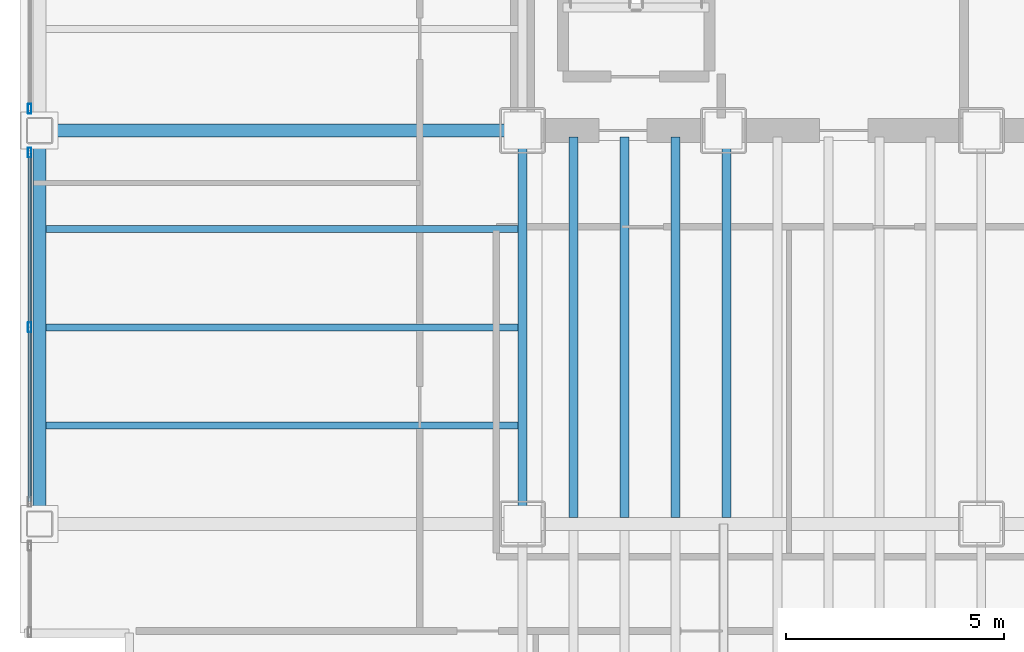
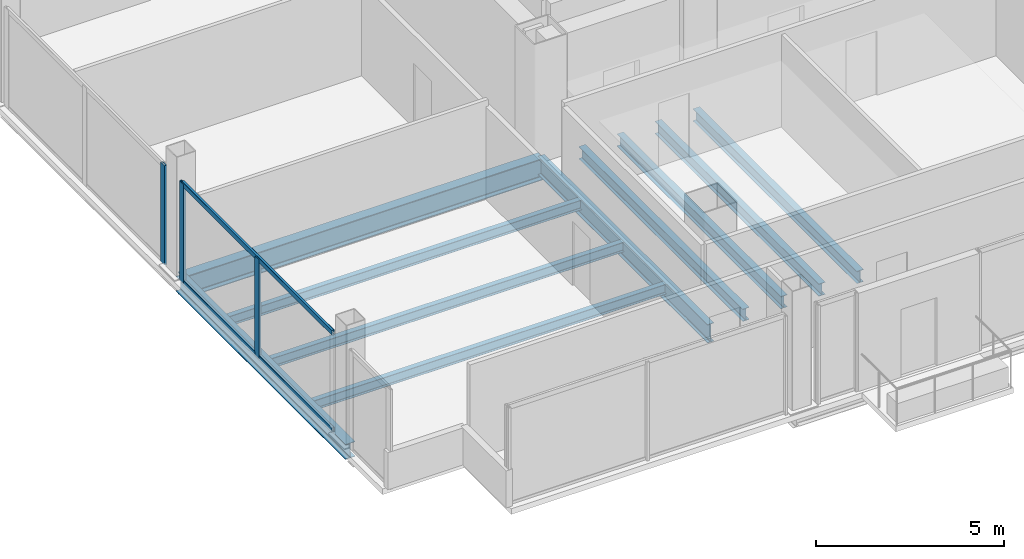
# One storey, part 3 of 21: 10 beams, 5 members, 2 elements without a shape of their own.
"""IFC4 building model written with IfcOpenShell, lengths in metres."""

from ifc_helpers import new_model, si_unit, direction, frame, origin, origin_2d, place, context, subcontext, project, spatial, hollow_rectangle, i_section, extrude, material, material_profile, profile_set, type_object, element, aggregate, save


model = new_model("IFC4")

# Units and contexts
model_context = context("Model", 3, precision=1e-05, world=origin(), true_north=direction((0.0, 1.0)))
body_context = subcontext(model_context, "Body", "Model", "MODEL_VIEW")
ifc_project = project(units=[si_unit("LENGTHUNIT", "METRE"), si_unit("AREAUNIT", "SQUARE_METRE"), si_unit("VOLUMEUNIT", "CUBIC_METRE"), si_unit("PLANEANGLEUNIT", "RADIAN"), si_unit("MASSUNIT", "GRAM", prefix="KILO")], contexts=[model_context])

# Site, building, storey
site_placement = place(None, origin())
site = spatial("IfcSite", under=ifc_project, at=site_placement, CompositionType="ELEMENT")
building_placement = place(site_placement, origin())
building = spatial("IfcBuilding", under=site, at=building_placement, Name="Noeulbin Bourse Tower", CompositionType="ELEMENT")
storey_placement = place(building_placement, frame((0.0, 0.0, 34.300048828125)))
storey = spatial("IfcBuildingStorey", under=building, at=storey_placement, Name="L08", CompositionType="ELEMENT", Elevation=34.300048828125)

# Beams
ifc_material_1 = material(Name="Steel S355", Category="steel")
ifc_material_profile_1 = material_profile(ifc_material_1, i_section(OverallWidth=0.199951171875, OverallDepth=0.60009765625, WebThickness=0.010986328125, FlangeThickness=0.01708984375, FilletRadius=0.02197265625, at=origin_2d()), Name="H-600x200x11x17", Category="LoadBearing")
ifc_profile_set_1 = profile_set([ifc_material_profile_1], Name="Steel S355")
beam_type_1 = type_object("IfcBeamType", Name="BM-GRD-600", PredefinedType="USERDEFINED", material=ifc_profile_set_1)
beam_1_placement = place(storey_placement, frame((13.5, 20.0, -0.47998046875), z_axis=(0.0, 1.0, 0.0), x_axis=(-1.0, 0.0, 0.0)))
element("IfcBeam", 1, at=beam_1_placement, inside=storey, type_object=beam_type_1, Name="Tower Primary Girder NS L08-1.2", ObjectType="GIRDER", PredefinedType="USERDEFINED", context=body_context, shape_type="SweptSolid", body=[
    extrude(i_section(OverallWidth=0.199951171875, OverallDepth=0.60009765625, WebThickness=0.010986328125, FlangeThickness=0.01708984375, FilletRadius=0.02197265625, at=origin_2d()), origin(), (0.0, 0.0, 1.0), 9.0),
])
ifc_material_profile_2 = material_profile(ifc_material_1, i_section(OverallWidth=0.300048828125, OverallDepth=0.699951171875, WebThickness=0.012939453125, FlangeThickness=0.02392578125, FilletRadius=0.02392578125, at=origin_2d()), Name="H-700x300x13x24", Category="LoadBearing")
ifc_profile_set_2 = profile_set([ifc_material_profile_2], Name="Steel S355")
beam_type_2 = type_object("IfcBeamType", Name="BM-GRD-700", PredefinedType="USERDEFINED", material=ifc_profile_set_2)
beam_2_placement = place(storey_placement, frame((2.449951171875, 29.0, -0.530029296875), z_axis=(1.0, 0.0, 0.0), x_axis=(0.0, 1.0, 0.0)))
element("IfcBeam", 2, at=beam_2_placement, inside=storey, type_object=beam_type_2, Name="Tower Primary Girder EW L08-2.1", ObjectType="GIRDER", PredefinedType="USERDEFINED", context=body_context, shape_type="SweptSolid", body=[
    extrude(i_section(OverallWidth=0.300048828125, OverallDepth=0.699951171875, WebThickness=0.012939453125, FlangeThickness=0.02392578125, FilletRadius=0.02392578125, at=origin_2d()), origin(), (0.0, 0.0, 1.0), 11.050048828125),
])
ifc_material_profile_3 = material_profile(ifc_material_1, i_section(OverallWidth=0.159912109375, OverallDepth=0.320068359375, WebThickness=0.006591796875, FlangeThickness=0.010009765625, FilletRadius=0.012939453125, at=origin_2d()), Name="H-320x160x6.5x10", Category="LoadBearing")
ifc_profile_set_3 = profile_set([ifc_material_profile_3], Name="Steel S355")
beam_type_3 = type_object("IfcBeamType", Name="BM-JST-320", PredefinedType="JOIST", material=ifc_profile_set_3)
for number, where, z_axis, x_axis, name in (
    (3, (2.60009765625, 22.25, -0.340087890625), (1.0, 0.0, 0.0), (0.0, 1.0, 0.0), "Wing Composite Joist L08-W69"),
    (4, (2.60009765625, 24.5, -0.340087890625), (1.0, 0.0, 0.0), (0.0, 1.0, 0.0), "Wing Composite Joist L08-W70"),
    (5, (2.60009765625, 26.75, -0.340087890625), (1.0, 0.0, 0.0), (0.0, 1.0, 0.0), "Wing Composite Joist L08-W71"),
):
    element("IfcBeam", number, at=place(storey_placement, frame(where, z_axis=z_axis, x_axis=x_axis)), inside=storey, type_object=beam_type_3, Name=name, PredefinedType="JOIST", context=body_context, shape_type="SweptSolid", body=[
        extrude(i_section(OverallWidth=0.159912109375, OverallDepth=0.320068359375, WebThickness=0.006591796875, FlangeThickness=0.010009765625, FilletRadius=0.012939453125, at=origin_2d()), origin(), (0.0, 0.0, 1.0), 10.7998046875),
    ])
ifc_material_profile_4 = material_profile(ifc_material_1, i_section(OverallWidth=0.199951171875, OverallDepth=0.39990234375, WebThickness=0.008056640625, FlangeThickness=0.012939453125, FilletRadius=0.01611328125, at=origin_2d()), Name="H-400x200x8x13", Category="LoadBearing")
ifc_profile_set_4 = profile_set([ifc_material_profile_4], Name="Steel S355")
beam_type_4 = type_object("IfcBeamType", Name="BM-SEC-400", PredefinedType="BEAM", material=ifc_profile_set_4)
for number, where, z_axis, x_axis, name in (
    (6, (14.666748046875, 20.14990234375, -0.380126953125), (0.0, 1.0, 0.0), (-1.0, 0.0, 0.0), "Tower Composite Joist L08-02"),
    (7, (15.833251953125, 20.14990234375, -0.380126953125), (0.0, 1.0, 0.0), (-1.0, 0.0, 0.0), "Tower Composite Joist L08-05"),
    (8, (17.0, 20.14990234375, -0.380126953125), (0.0, 1.0, 0.0), (-1.0, 0.0, 0.0), "Tower Composite Joist L08-08"),
    (9, (18.166748046875, 20.14990234375, -0.380126953125), (0.0, 1.0, 0.0), (-1.0, 0.0, 0.0), "Tower Composite Joist L08-10"),
):
    element("IfcBeam", number, at=place(storey_placement, frame(where, z_axis=z_axis, x_axis=x_axis)), inside=storey, type_object=beam_type_4, Name=name, PredefinedType="BEAM", context=body_context, shape_type="SweptSolid", body=[
        extrude(i_section(OverallWidth=0.199951171875, OverallDepth=0.39990234375, WebThickness=0.008056640625, FlangeThickness=0.012939453125, FilletRadius=0.01611328125, at=origin_2d()), origin(), (0.0, 0.0, 1.0), 8.7001953125),
    ])
ifc_material_profile_5 = material_profile(ifc_material_1, i_section(OverallWidth=0.300048828125, OverallDepth=0.488037109375, WebThickness=0.010986328125, FlangeThickness=0.01806640625, FilletRadius=0.02197265625, at=origin_2d()), Name="H-488x300x11x18", Category="LoadBearing")
ifc_profile_set_5 = profile_set([ifc_material_profile_5], Name="Steel S355")
beam_type_5 = type_object("IfcBeamType", Name="BM-SPN-488", PredefinedType="SPANDREL", material=ifc_profile_set_5)
beam_3_placement = place(storey_placement, frame((2.449951171875, 20.0, -0.424072265625), z_axis=(0.0, 1.0, 0.0), x_axis=(-1.0, 0.0, 0.0)))
element("IfcBeam", 10, at=beam_3_placement, inside=storey, type_object=beam_type_5, Name="West Spandrel L08-1", PredefinedType="SPANDREL", context=body_context, shape_type="SweptSolid", body=[
    extrude(i_section(OverallWidth=0.300048828125, OverallDepth=0.488037109375, WebThickness=0.010986328125, FlangeThickness=0.01806640625, FilletRadius=0.02197265625, at=origin_2d()), origin(), (0.0, 0.0, 1.0), 9.0),
])

# Curtain wall, members
ifc_material_2 = material(Name="Dark Solar-Control Double Glazing", Category="glass")
curtain_wall_type = type_object("IfcCurtainWallType", Name="CW-SYS-2", PredefinedType="NOTDEFINED", material=ifc_material_2)
curtain_wall_1_placement = place(storey_placement, origin())
curtain_wall_1 = element("IfcCurtainWall", 11, at=curtain_wall_1_placement, inside=storey, type_object=curtain_wall_type, Name="Unitised Curtain Wall CW-L08-W-S2", PredefinedType="NOTDEFINED")
ifc_material_3 = material(Name="Anodised Aluminium 6063-T6", Category="aluminium")
ifc_material_profile_6 = material_profile(ifc_material_3, hollow_rectangle(XDim=0.074951171875, YDim=0.219970703125, WallThickness=0.0048828125, InnerFilletRadius=0.00244140625, OuterFilletRadius=0.0048828125, at=origin_2d()), Name="ALU-MULL-75x220x5", Category="LoadBearing")
ifc_profile_set_6 = profile_set([ifc_material_profile_6], Name="Anodised Aluminium 6063-T6")
member_type_1 = type_object("IfcMemberType", Name="CW-SYS-2-MUL", PredefinedType="MULLION", material=ifc_profile_set_6)
member_1_placement = place(storey_placement, frame((2.219970703125, 24.5, -0.02001953125), z_axis=(0.0, 0.0, 1.0), x_axis=(1.0, 0.0, 0.0)))
member_1 = element("IfcMember", 12, at=member_1_placement, type_object=member_type_1, Name="Curtain Wall Mullion CW-L08-W-S2-M01", PredefinedType="MULLION", context=body_context, shape_type="SweptSolid", body=[
    extrude(hollow_rectangle(XDim=0.074951171875, YDim=0.219970703125, WallThickness=0.0048828125, InnerFilletRadius=0.00244140625, OuterFilletRadius=0.0048828125, at=origin_2d()), origin(), (0.0, 0.0, 1.0), 3.219970703125),
])
member_2_placement = place(storey_placement, frame((2.219970703125, 28.5, -0.02001953125), z_axis=(0.0, 0.0, 1.0), x_axis=(1.0, 0.0, 0.0)))
member_2 = element("IfcMember", 13, at=member_2_placement, type_object=member_type_1, Name="Curtain Wall Mullion CW-L08-W-S2-M02", PredefinedType="MULLION", context=body_context, shape_type="SweptSolid", body=[
    extrude(hollow_rectangle(XDim=0.074951171875, YDim=0.219970703125, WallThickness=0.0048828125, InnerFilletRadius=0.00244140625, OuterFilletRadius=0.0048828125, at=origin_2d()), origin(), (0.0, 0.0, 1.0), 3.219970703125),
])

# Curtain wall, member
curtain_wall_2_placement = place(storey_placement, origin())
curtain_wall_2 = element("IfcCurtainWall", 14, at=curtain_wall_2_placement, inside=storey, type_object=curtain_wall_type, Name="Unitised Curtain Wall CW-L08-W-S3", PredefinedType="NOTDEFINED")
member_3_placement = place(storey_placement, frame((2.219970703125, 29.5, -0.02001953125), z_axis=(0.0, 0.0, 1.0), x_axis=(1.0, 0.0, 0.0)))
member_3 = element("IfcMember", 15, at=member_3_placement, type_object=member_type_1, Name="Curtain Wall Mullion CW-L08-W-S3-M00", PredefinedType="MULLION", context=body_context, shape_type="SweptSolid", body=[
    extrude(hollow_rectangle(XDim=0.074951171875, YDim=0.219970703125, WallThickness=0.0048828125, InnerFilletRadius=0.00244140625, OuterFilletRadius=0.0048828125, at=origin_2d()), origin(), (0.0, 0.0, 1.0), 3.219970703125),
])
aggregate(curtain_wall_2, [member_3])

# Member
ifc_material_profile_7 = material_profile(ifc_material_3, hollow_rectangle(XDim=0.074951171875, YDim=0.159912109375, WallThickness=0.0048828125, InnerFilletRadius=0.00244140625, OuterFilletRadius=0.0048828125, at=origin_2d()), Name="ALU-TRAN-75x160x5", Category="LoadBearing")
ifc_profile_set_7 = profile_set([ifc_material_profile_7], Name="Anodised Aluminium 6063-T6")
member_type_2 = type_object("IfcMemberType", Name="CW-SYS-2-TRN", PredefinedType="USERDEFINED", material=ifc_profile_set_7)
member_4_placement = place(storey_placement, frame((2.219970703125, 20.510009765625, 0.010009765625), z_axis=(0.0, 1.0, 0.0), x_axis=(-1.0, 0.0, 0.0)))
member_4 = element("IfcMember", 16, at=member_4_placement, type_object=member_type_2, Name="Curtain Wall Transom CW-L08-W-S2-T00", ObjectType="TRANSOM", PredefinedType="USERDEFINED", context=body_context, shape_type="SweptSolid", body=[
    extrude(hollow_rectangle(XDim=0.074951171875, YDim=0.159912109375, WallThickness=0.0048828125, InnerFilletRadius=0.00244140625, OuterFilletRadius=0.0048828125, at=origin_2d()), origin(), (0.0, 0.0, 1.0), 7.97998046875),
])

member_5_placement = place(storey_placement, frame((2.219970703125, 20.510009765625, 3.169921875), z_axis=(0.0, 1.0, 0.0), x_axis=(-1.0, 0.0, 0.0)))
member_5 = element("IfcMember", 17, at=member_5_placement, type_object=member_type_2, Name="Curtain Wall Transom CW-L08-W-S2-T01", ObjectType="TRANSOM", PredefinedType="USERDEFINED", context=body_context, shape_type="SweptSolid", body=[
    extrude(hollow_rectangle(XDim=0.074951171875, YDim=0.159912109375, WallThickness=0.0048828125, InnerFilletRadius=0.00244140625, OuterFilletRadius=0.0048828125, at=origin_2d()), origin(), (0.0, 0.0, 1.0), 7.97998046875),
])

aggregate(curtain_wall_1, [member_1, member_2, member_4, member_5])

save(model, "model.ifc")
